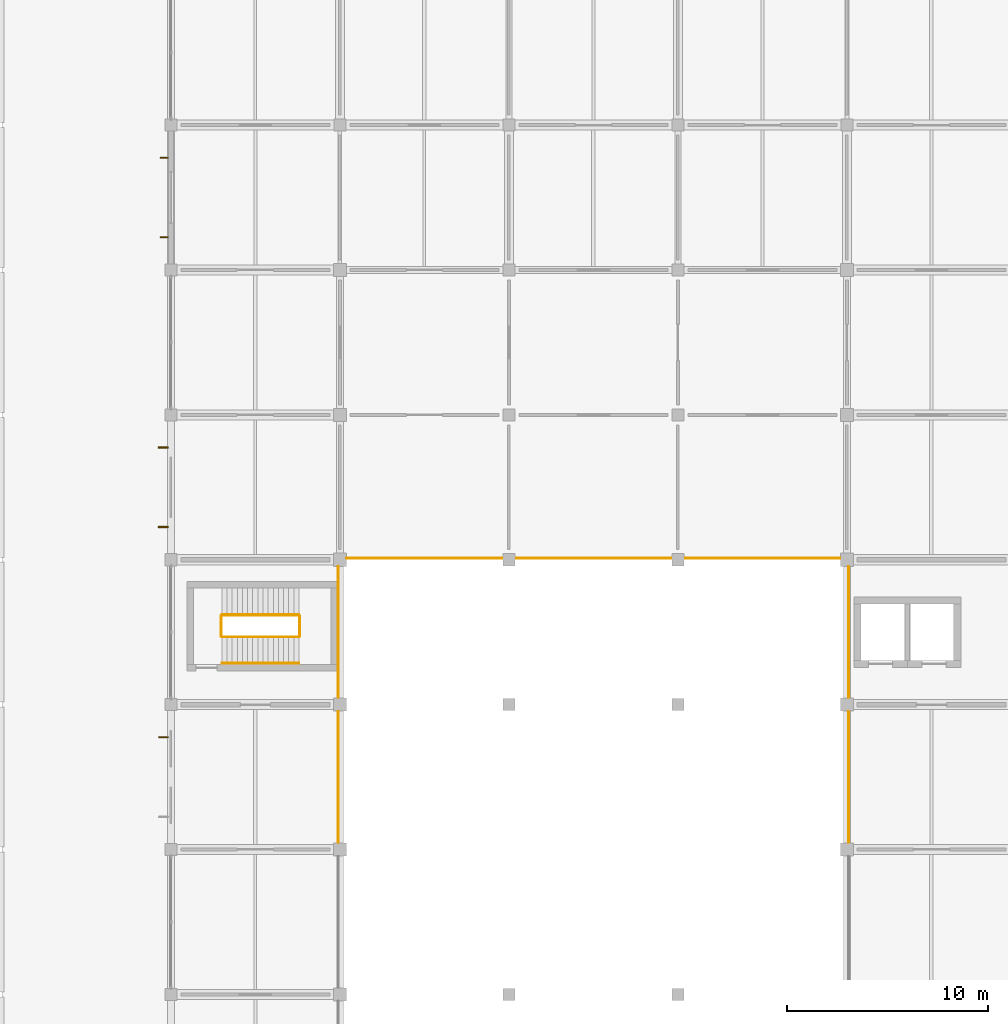
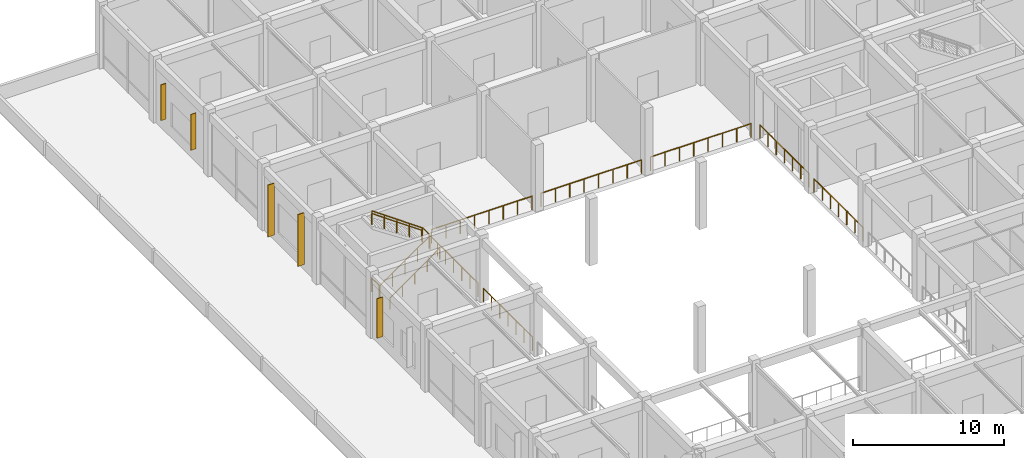
# One storey, part 34 of 38: 13 railings, 5 shading devices.
"""IFC4 building model written with IfcOpenShell, lengths in metres."""

from ifc_helpers import new_model, si_unit, derived_unit, direction, frame, origin, origin_2d, place, context, subcontext, project, spatial, rectangle, circle, extrude, material, layer, layer_set, type_object, element, save


model = new_model("IFC4")

# Units and contexts
model_context = context("Model", 3, precision=1e-05, world=origin(), true_north=direction((0.0, 1.0)))
body_context = subcontext(model_context, "Body", "Model", "MODEL_VIEW")
ifc_project = project(units=[si_unit("LENGTHUNIT", "METRE"), si_unit("AREAUNIT", "SQUARE_METRE"), si_unit("VOLUMEUNIT", "CUBIC_METRE"), si_unit("PLANEANGLEUNIT", "RADIAN"), si_unit("MASSUNIT", "GRAM", prefix="KILO"), derived_unit("THERMALTRANSMITTANCEUNIT", [(si_unit("MASSUNIT", "GRAM", prefix="KILO"), 1), (si_unit("TIMEUNIT", "SECOND"), -3), (si_unit("THERMODYNAMICTEMPERATUREUNIT", "KELVIN"), -1)])], contexts=[model_context])

# Site, building, storey
site_placement = place(None, origin())
site = spatial("IfcSite", under=ifc_project, at=site_placement, CompositionType="ELEMENT")
building_placement = place(site_placement, origin())
building = spatial("IfcBuilding", under=site, at=building_placement, Name="Veldstrom Oceanarium and Marine Research Institute", CompositionType="ELEMENT")
storey_placement = place(building_placement, frame((0.0, 0.0, 11.39990234375)))
storey = spatial("IfcBuildingStorey", under=building, at=storey_placement, Name="L02", CompositionType="ELEMENT", Elevation=11.39990234375)

# Railings
ifc_material_1 = material(Name="Duplex Stainless Steel Balustrade", Category="steel")
ifc_layer_1 = layer(ifc_material_1, 0.06005859375)
ifc_layer_set_1 = layer_set([ifc_layer_1], Name="ARC-RLG-GR1")
railing_type_1 = type_object("IfcRailingType", Name="ARC-RLG-GR1", PredefinedType="GUARDRAIL", material=ifc_layer_set_1)
railing_1_placement = place(storey_placement, frame((10.89990234375, 39.39990234375, 0.0)))
element("IfcRailing", 1, at=railing_1_placement, inside=storey, type_object=railing_type_1, Name="Stair Well Landing Guard ST3 L02", PredefinedType="GUARDRAIL", context=body_context, shape_type="SweptSolid", body=[
    extrude(circle(Radius=0.02392578125, at=origin_2d()), frame((0.0, 0.0, 1.09619140625), z_axis=(0.0, 1.0, 0.0), x_axis=(-1.0, 0.0, 0.0)), (0.0, 0.0, 1.0), 1.0),
    extrude(circle(Radius=0.02099609375, at=origin_2d()), origin(), (0.0, 0.0, 1.0), 1.072021484375),
    extrude(circle(Radius=0.02099609375, at=origin_2d()), frame((0.0, 1.0, 0.0)), (0.0, 0.0, 1.0), 1.072021484375),
])
railing_2_placement = place(storey_placement, frame((10.93994140625, 39.360107421875, 0.0)))
element("IfcRailing", 2, at=railing_2_placement, inside=storey, type_object=railing_type_1, Name="Stair Flight Guardrail ST3-L02-1", PredefinedType="GUARDRAIL", context=body_context, shape_type="SweptSolid", body=[
    extrude(circle(Radius=0.02392578125, at=origin_2d()), frame((0.0, 0.0, 1.09619140625), z_axis=(0.816944740886, 0.0, 0.576715952908), x_axis=(0.0, 1.0, 0.0)), (0.0, 0.0, 1.0), 4.68212890625),
    extrude(circle(Radius=0.02099609375, at=origin_2d()), origin(), (0.0, 0.0, 1.0), 1.072021484375),
    extrude(circle(Radius=0.02099609375, at=origin_2d()), frame((0.956298828125, 0.0, 0.675048828125)), (0.0, 0.0, 1.0), 1.072021484375),
    extrude(circle(Radius=0.02099609375, at=origin_2d()), frame((1.91259765625, 0.0, 1.35009765625)), (0.0, 0.0, 1.0), 1.072021484375),
    extrude(circle(Radius=0.02099609375, at=origin_2d()), frame((2.86865234375, 0.0, 2.025146484375)), (0.0, 0.0, 1.0), 1.072021484375),
    extrude(circle(Radius=0.02099609375, at=origin_2d()), frame((3.824951171875, 0.0, 2.7001953125)), (0.0, 0.0, 1.0), 1.072021484375),
])
railing_3_placement = place(storey_placement, frame((14.804931640625, 39.39990234375, 2.7001953125)))
element("IfcRailing", 3, at=railing_3_placement, inside=storey, type_object=railing_type_1, Name="Stair Half-Landing Guardrail ST3-L02", PredefinedType="GUARDRAIL", context=body_context, shape_type="SweptSolid", body=[
    extrude(circle(Radius=0.02392578125, at=origin_2d()), frame((0.0, 0.0, 1.09619140625), z_axis=(0.0, 1.0, 0.0), x_axis=(-1.0, 0.0, 0.0)), (0.0, 0.0, 1.0), 1.0),
    extrude(circle(Radius=0.02099609375, at=origin_2d()), origin(), (0.0, 0.0, 1.0), 1.072021484375),
    extrude(circle(Radius=0.02099609375, at=origin_2d()), frame((0.0, 1.0, 0.0)), (0.0, 0.0, 1.0), 1.072021484375),
])
railing_4_placement = place(storey_placement, frame((14.764892578125, 40.43994140625, 2.7001953125)))
element("IfcRailing", 4, at=railing_4_placement, inside=storey, type_object=railing_type_1, Name="Stair Flight Guardrail ST3-L02-2", PredefinedType="GUARDRAIL", context=body_context, shape_type="SweptSolid", body=[
    extrude(circle(Radius=0.02392578125, at=origin_2d()), frame((0.0, 0.0, 1.09619140625), z_axis=(-0.816969308413, 0.0, 0.5766811503), x_axis=(0.0, -1.0, 0.0)), (0.0, 0.0, 1.0), 4.681884765625),
    extrude(circle(Radius=0.02099609375, at=origin_2d()), origin(), (0.0, 0.0, 1.0), 1.072021484375),
    extrude(circle(Radius=0.02099609375, at=origin_2d()), frame((-0.956298828125, 0.0, 0.675048828125)), (0.0, 0.0, 1.0), 1.072021484375),
    extrude(circle(Radius=0.02099609375, at=origin_2d()), frame((-1.91259765625, 0.0, 1.35009765625)), (0.0, 0.0, 1.0), 1.072021484375),
    extrude(circle(Radius=0.02099609375, at=origin_2d()), frame((-2.86865234375, 0.0, 2.02490234375)), (0.0, 0.0, 1.0), 1.072021484375),
    extrude(circle(Radius=0.02099609375, at=origin_2d()), frame((-3.824951171875, 0.0, 2.699951171875)), (0.0, 0.0, 1.0), 1.072021484375),
])
for number, where, name in (
    (5, (16.719970703125, 29.14990234375, 0.0), "Atrium Overlook Guardrail GR-ATR-L02-08"),
    (6, (16.719970703125, 36.35009765625, 0.0), "Atrium Overlook Guardrail GR-ATR-L02-09"),
):
    element("IfcRailing", number, at=place(storey_placement, frame(where)), inside=storey, type_object=railing_type_1, Name=name, PredefinedType="GUARDRAIL", context=body_context, shape_type="SweptSolid", body=[
        extrude(circle(Radius=0.02392578125, at=origin_2d()), frame((0.0, 0.0, 1.09619140625), z_axis=(0.0, 1.0, 0.0), x_axis=(-1.0, 0.0, 0.0)), (0.0, 0.0, 1.0), 6.5),
        extrude(circle(Radius=0.02099609375, at=origin_2d()), origin(), (0.0, 0.0, 1.0), 1.072021484375),
        extrude(circle(Radius=0.02099609375, at=origin_2d()), frame((0.0, 1.083251953125, 0.0)), (0.0, 0.0, 1.0), 1.072021484375),
        extrude(circle(Radius=0.02099609375, at=origin_2d()), frame((0.0, 2.166748046875, 0.0)), (0.0, 0.0, 1.0), 1.072021484375),
        extrude(circle(Radius=0.02099609375, at=origin_2d()), frame((0.0, 3.25, 0.0)), (0.0, 0.0, 1.0), 1.072021484375),
        extrude(circle(Radius=0.02099609375, at=origin_2d()), frame((0.0, 4.333251953125, 0.0)), (0.0, 0.0, 1.0), 1.072021484375),
        extrude(circle(Radius=0.02099609375, at=origin_2d()), frame((0.0, 5.416748046875, 0.0)), (0.0, 0.0, 1.0), 1.072021484375),
        extrude(circle(Radius=0.02099609375, at=origin_2d()), frame((0.0, 6.5, 0.0)), (0.0, 0.0, 1.0), 1.072021484375),
    ])
railing_5_placement = place(storey_placement, frame((17.14990234375, 43.280029296875, 0.0)))
element("IfcRailing", 7, at=railing_5_placement, inside=storey, type_object=railing_type_1, Name="Atrium Overlook Guardrail GR-ATR-L02-11", PredefinedType="GUARDRAIL", context=body_context, shape_type="SweptSolid", body=[
    extrude(circle(Radius=0.02392578125, at=origin_2d()), frame((0.0, 0.0, 1.09619140625), z_axis=(1.0, 0.0, 0.0), x_axis=(0.0, 1.0, 0.0)), (0.0, 0.0, 1.0), 7.7001953125),
    extrude(circle(Radius=0.02099609375, at=origin_2d()), origin(), (0.0, 0.0, 1.0), 1.072021484375),
    extrude(circle(Radius=0.02099609375, at=origin_2d()), frame((1.10009765625, 0.0, 0.0)), (0.0, 0.0, 1.0), 1.072021484375),
    extrude(circle(Radius=0.02099609375, at=origin_2d()), frame((2.199951171875, 0.0, 0.0)), (0.0, 0.0, 1.0), 1.072021484375),
    extrude(circle(Radius=0.02099609375, at=origin_2d()), frame((3.300048828125, 0.0, 0.0)), (0.0, 0.0, 1.0), 1.072021484375),
    extrude(circle(Radius=0.02099609375, at=origin_2d()), frame((4.400146484375, 0.0, 0.0)), (0.0, 0.0, 1.0), 1.072021484375),
    extrude(circle(Radius=0.02099609375, at=origin_2d()), frame((5.500244140625, 0.0, 0.0)), (0.0, 0.0, 1.0), 1.072021484375),
    extrude(circle(Radius=0.02099609375, at=origin_2d()), frame((6.60009765625, 0.0, 0.0)), (0.0, 0.0, 1.0), 1.072021484375),
    extrude(circle(Radius=0.02099609375, at=origin_2d()), frame((7.7001953125, 0.0, 0.0)), (0.0, 0.0, 1.0), 1.072021484375),
])
for number, where, name in (
    (8, (25.550048828125, 43.280029296875, 0.0), "Atrium Overlook Guardrail GR-ATR-L02-13"),
    (9, (33.949951171875, 43.280029296875, 0.0), "Atrium Overlook Guardrail GR-ATR-L02-15"),
):
    element("IfcRailing", number, at=place(storey_placement, frame(where)), inside=storey, type_object=railing_type_1, Name=name, PredefinedType="GUARDRAIL", context=body_context, shape_type="SweptSolid", body=[
        extrude(circle(Radius=0.02392578125, at=origin_2d()), frame((0.0, 0.0, 1.09619140625), z_axis=(1.0, 0.0, 0.0), x_axis=(0.0, 1.0, 0.0)), (0.0, 0.0, 1.0), 7.699951171875),
        extrude(circle(Radius=0.02099609375, at=origin_2d()), origin(), (0.0, 0.0, 1.0), 1.072021484375),
        extrude(circle(Radius=0.02099609375, at=origin_2d()), frame((1.10009765625, 0.0, 0.0)), (0.0, 0.0, 1.0), 1.072021484375),
        extrude(circle(Radius=0.02099609375, at=origin_2d()), frame((2.199951171875, 0.0, 0.0)), (0.0, 0.0, 1.0), 1.072021484375),
        extrude(circle(Radius=0.02099609375, at=origin_2d()), frame((3.300048828125, 0.0, 0.0)), (0.0, 0.0, 1.0), 1.072021484375),
        extrude(circle(Radius=0.02099609375, at=origin_2d()), frame((4.39990234375, 0.0, 0.0)), (0.0, 0.0, 1.0), 1.072021484375),
        extrude(circle(Radius=0.02099609375, at=origin_2d()), frame((5.5, 0.0, 0.0)), (0.0, 0.0, 1.0), 1.072021484375),
        extrude(circle(Radius=0.02099609375, at=origin_2d()), frame((6.599853515625, 0.0, 0.0)), (0.0, 0.0, 1.0), 1.072021484375),
        extrude(circle(Radius=0.02099609375, at=origin_2d()), frame((7.699951171875, 0.0, 0.0)), (0.0, 0.0, 1.0), 1.072021484375),
    ])
for number, where, name in (
    (10, (42.080078125, 29.14990234375, 0.0), "Atrium Overlook Guardrail GR-ATR-L02-18"),
    (11, (42.080078125, 36.35009765625, 0.0), "Atrium Overlook Guardrail GR-ATR-L02-19"),
):
    element("IfcRailing", number, at=place(storey_placement, frame(where)), inside=storey, type_object=railing_type_1, Name=name, PredefinedType="GUARDRAIL", context=body_context, shape_type="SweptSolid", body=[
        extrude(circle(Radius=0.02392578125, at=origin_2d()), frame((0.0, 0.0, 1.09619140625), z_axis=(0.0, 1.0, 0.0), x_axis=(-1.0, 0.0, 0.0)), (0.0, 0.0, 1.0), 6.5),
        extrude(circle(Radius=0.02099609375, at=origin_2d()), origin(), (0.0, 0.0, 1.0), 1.072021484375),
        extrude(circle(Radius=0.02099609375, at=origin_2d()), frame((0.0, 1.083251953125, 0.0)), (0.0, 0.0, 1.0), 1.072021484375),
        extrude(circle(Radius=0.02099609375, at=origin_2d()), frame((0.0, 2.166748046875, 0.0)), (0.0, 0.0, 1.0), 1.072021484375),
        extrude(circle(Radius=0.02099609375, at=origin_2d()), frame((0.0, 3.25, 0.0)), (0.0, 0.0, 1.0), 1.072021484375),
        extrude(circle(Radius=0.02099609375, at=origin_2d()), frame((0.0, 4.333251953125, 0.0)), (0.0, 0.0, 1.0), 1.072021484375),
        extrude(circle(Radius=0.02099609375, at=origin_2d()), frame((0.0, 5.416748046875, 0.0)), (0.0, 0.0, 1.0), 1.072021484375),
        extrude(circle(Radius=0.02099609375, at=origin_2d()), frame((0.0, 6.5, 0.0)), (0.0, 0.0, 1.0), 1.072021484375),
    ])
ifc_material_2 = material(Name="Brushed Stainless Steel Handrail", Category="steel")
ifc_layer_2 = layer(ifc_material_2, 0.050048828125)
ifc_layer_set_2 = layer_set([ifc_layer_2], Name="ARC-RLG-HR1")
railing_type_2 = type_object("IfcRailingType", Name="ARC-RLG-HR1", PredefinedType="HANDRAIL", material=ifc_layer_set_2)
railing_6_placement = place(storey_placement, frame((10.93994140625, 38.06005859375, 0.0)))
element("IfcRailing", 12, at=railing_6_placement, inside=storey, type_object=railing_type_2, Name="Stair Wall Handrail ST3-L02-1", PredefinedType="HANDRAIL", context=body_context, shape_type="SweptSolid", body=[
    extrude(circle(Radius=0.02392578125, at=origin_2d()), frame((0.0, 0.0, 0.8759765625), z_axis=(0.816944740886, 0.0, 0.576715952908), x_axis=(0.0, 1.0, 0.0)), (0.0, 0.0, 1.0), 4.68212890625),
    extrude(circle(Radius=0.02099609375, at=origin_2d()), origin(), (0.0, 0.0, 1.0), 0.851806640625),
    extrude(circle(Radius=0.02099609375, at=origin_2d()), frame((0.956298828125, 0.0, 0.675048828125)), (0.0, 0.0, 1.0), 0.851806640625),
    extrude(circle(Radius=0.02099609375, at=origin_2d()), frame((1.91259765625, 0.0, 1.35009765625)), (0.0, 0.0, 1.0), 0.851806640625),
    extrude(circle(Radius=0.02099609375, at=origin_2d()), frame((2.86865234375, 0.0, 2.025146484375)), (0.0, 0.0, 1.0), 0.851806640625),
    extrude(circle(Radius=0.02099609375, at=origin_2d()), frame((3.824951171875, 0.0, 2.7001953125)), (0.0, 0.0, 1.0), 0.851806640625),
])
railing_7_placement = place(storey_placement, frame((14.764892578125, 40.4599609375, 2.7001953125)))
element("IfcRailing", 13, at=railing_7_placement, inside=storey, type_object=railing_type_2, Name="Stair Wall Handrail ST3-L02-2", PredefinedType="HANDRAIL", context=body_context, shape_type="SweptSolid", body=[
    extrude(circle(Radius=0.02392578125, at=origin_2d()), frame((0.0, 0.0, 0.8759765625), z_axis=(-0.816969308413, 0.0, 0.5766811503), x_axis=(0.0, -1.0, 0.0)), (0.0, 0.0, 1.0), 4.681884765625),
    extrude(circle(Radius=0.02099609375, at=origin_2d()), origin(), (0.0, 0.0, 1.0), 0.851806640625),
    extrude(circle(Radius=0.02099609375, at=origin_2d()), frame((-0.956298828125, 0.0, 0.675048828125)), (0.0, 0.0, 1.0), 0.851806640625),
    extrude(circle(Radius=0.02099609375, at=origin_2d()), frame((-1.91259765625, 0.0, 1.35009765625)), (0.0, 0.0, 1.0), 0.851806640625),
    extrude(circle(Radius=0.02099609375, at=origin_2d()), frame((-2.86865234375, 0.0, 2.02490234375)), (0.0, 0.0, 1.0), 0.851806640625),
    extrude(circle(Radius=0.02099609375, at=origin_2d()), frame((-3.824951171875, 0.0, 2.699951171875)), (0.0, 0.0, 1.0), 0.851806640625),
])

# Shading devices
ifc_material_3 = material(Name="Precast Terracotta Brise-Soleil Louvre", Category="masonry")
ifc_layer_3 = layer(ifc_material_3, 3.199951171875)
ifc_layer_set_3 = layer_set([ifc_layer_3], Name="ARC-SHD-BS02")
shading_device_type_1 = type_object("IfcShadingDeviceType", Name="ARC-SHD-BS02", PredefinedType="JALOUSIE", material=ifc_layer_set_3)
shading_device_placement = place(storey_placement, frame((8.034912109375, 34.3798828125, 0.9501953125), z_axis=(0.0, 0.0, 1.0), x_axis=(1.0, 0.0, 0.0)))
element("IfcShadingDevice", 14, at=shading_device_placement, inside=storey, type_object=shading_device_type_1, Name="Terracotta Brise-Soleil Louvre L02-065", PredefinedType="JALOUSIE", context=body_context, shape_type="SweptSolid", body=[
    extrude(rectangle(XDim=0.449951171875, YDim=0.06005859375, at=origin_2d()), origin(), (0.0, 0.0, 1.0), 3.199951171875),
])
ifc_material_4 = material(Name="Precast Terracotta Brise-Soleil Louvre", Category="masonry")
ifc_layer_4 = layer(ifc_material_4, 4.199951171875)
ifc_layer_set_4 = layer_set([ifc_layer_4], Name="ARC-SHD-BS03")
shading_device_type_2 = type_object("IfcShadingDeviceType", Name="ARC-SHD-BS03", PredefinedType="JALOUSIE", material=ifc_layer_set_4)
for number, where, z_axis, x_axis, name in (
    (15, (8.02001953125, 44.820068359375, 0.4501953125), (0.0, 0.0, 1.0), (1.0, 0.0, 0.0), "Terracotta Brise-Soleil Louvre L02-066"),
    (16, (8.02001953125, 48.780029296875, 0.4501953125), (0.0, 0.0, 1.0), (1.0, 0.0, 0.0), "Terracotta Brise-Soleil Louvre L02-066"),
):
    element("IfcShadingDevice", number, at=place(storey_placement, frame(where, z_axis=z_axis, x_axis=x_axis)), inside=storey, type_object=shading_device_type_2, Name=name, PredefinedType="JALOUSIE", context=body_context, shape_type="SweptSolid", body=[
        extrude(rectangle(XDim=0.5, YDim=0.06494140625, at=origin_2d()), origin(), (0.0, 0.0, 1.0), 4.199951171875),
    ])
ifc_material_5 = material(Name="Precast Terracotta Brise-Soleil Louvre", Category="masonry")
ifc_layer_5 = layer(ifc_material_5, 2.89990234375)
ifc_layer_set_5 = layer_set([ifc_layer_5], Name="ARC-SHD-BS04")
shading_device_type_3 = type_object("IfcShadingDeviceType", Name="ARC-SHD-BS04", PredefinedType="JALOUSIE", material=ifc_layer_set_5)
for number, where, z_axis, x_axis, name in (
    (17, (8.080078125, 59.219970703125, 1.10009765625), (0.0, 0.0, 1.0), (1.0, 0.0, 0.0), "Terracotta Brise-Soleil Louvre L02-067"),
    (18, (8.080078125, 63.179931640625, 1.10009765625), (0.0, 0.0, 1.0), (1.0, 0.0, 0.0), "Terracotta Brise-Soleil Louvre L02-067"),
):
    element("IfcShadingDevice", number, at=place(storey_placement, frame(where, z_axis=z_axis, x_axis=x_axis)), inside=storey, type_object=shading_device_type_3, Name=name, PredefinedType="JALOUSIE", context=body_context, shape_type="SweptSolid", body=[
        extrude(rectangle(XDim=0.39990234375, YDim=0.054931640625, at=origin_2d()), origin(), (0.0, 0.0, 1.0), 2.89990234375),
    ])

save(model, "model.ifc")
